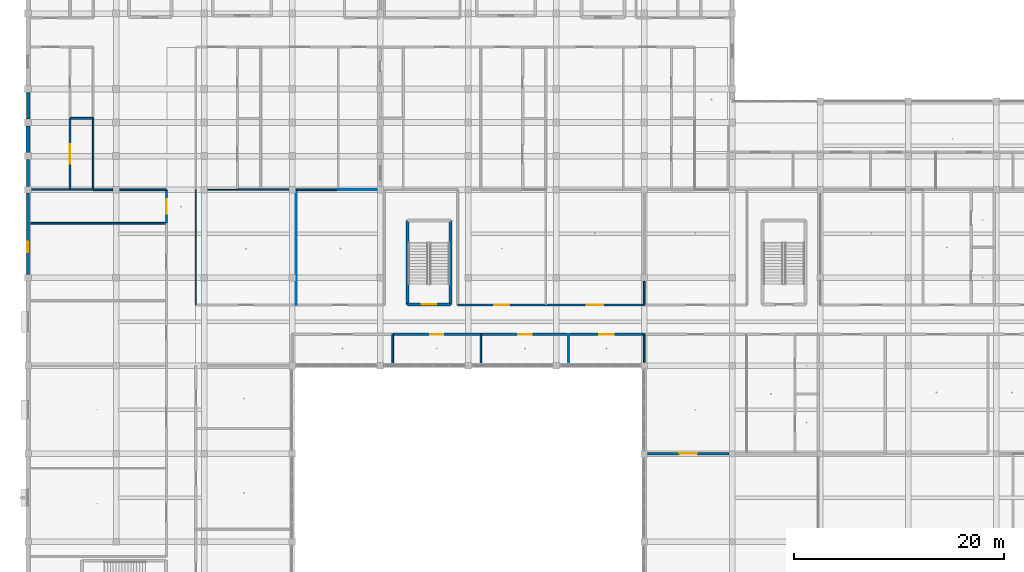
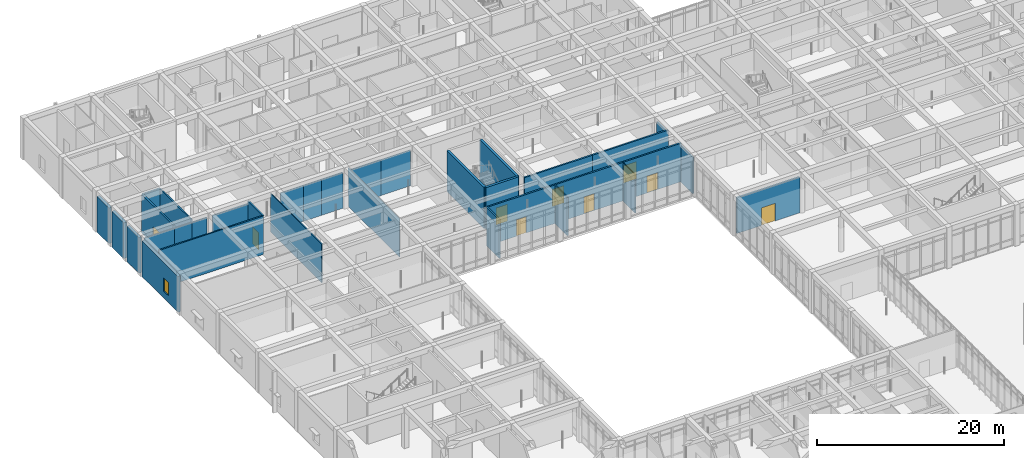
# One storey, part 80 of 157: 34 walls, 9 doors, 1 window, 10 openings.
"""IFC4 building model written with IfcOpenShell, lengths in metres."""

from ifc_helpers import new_model, si_unit, direction, frame, frame_2d, origin, place, context, subcontext, project, spatial, rectangle, extrude, material, layer, layer_set, type_object, element, fill, save


model = new_model("IFC4")

# Units and contexts
model_context = context("Model", 3, precision=1e-05, world=origin(), true_north=direction((0.0, 1.0)))
body_context = subcontext(model_context, "Body", "Model", "MODEL_VIEW")
ifc_project = project(units=[si_unit("LENGTHUNIT", "METRE"), si_unit("AREAUNIT", "SQUARE_METRE"), si_unit("VOLUMEUNIT", "CUBIC_METRE"), si_unit("PLANEANGLEUNIT", "RADIAN"), si_unit("MASSUNIT", "GRAM", prefix="KILO")], contexts=[model_context])

# Site, building, storey
site_placement = place(None, origin())
site = spatial("IfcSite", under=ifc_project, at=site_placement, CompositionType="ELEMENT")
building_placement = place(site_placement, origin())
building = spatial("IfcBuilding", under=site, at=building_placement, Name="Varncliffe General Hospital", CompositionType="ELEMENT")
storey_placement = place(building_placement, frame((0.0, 0.0, 5.39990234375)))
storey = spatial("IfcBuildingStorey", under=building, at=storey_placement, Name="L01", CompositionType="ELEMENT", Elevation=5.39990234375)

# Wall, opening, window
ifc_material_1 = material(Name="Precast concrete C40/50 with insulated cream lime-cement stucco", Category="concrete")
ifc_layer_1 = layer(ifc_material_1, 0.31005859375)
ifc_layer_set_1 = layer_set([ifc_layer_1], Name="Precast concrete C40/50 with insulated cream lime-cement stucco")
wall_type_1 = type_object("IfcWallType", Name="Exterior Insulated Stucco Wall EW20 (310mm)", PredefinedType="SOLIDWALL", material=ifc_layer_set_1)
wall_1_placement = place(storey_placement, frame((0.0, 91.52294921875, 0.0), z_axis=(0.0, 0.0, 1.0), x_axis=(0.0, 1.0, 0.0)))
wall_1 = element("IfcWall", 1, at=wall_1_placement, inside=storey, type_object=wall_type_1, Name="L01 Exterior Stucco Wall EW20-108", PredefinedType="SOLIDWALL", context=body_context, shape_type="SweptSolid", body=[
    extrude(rectangle(XDim=7.754150390625, YDim=0.31005859375, at=frame_2d((3.876953125, 0.0))), origin(), (0.0, 0.0, 1.0), 4.68017578125),
])
opening_1_placement = place(wall_1_placement, frame((2.089111328125, 0.0, 0.89990234375)))
opening_1 = element("IfcOpeningElement", 2, at=opening_1_placement, cuts=wall_1, Name="Opening WN53", PredefinedType="OPENING", context=body_context, shape_type="SweptSolid", body=[
    extrude(rectangle(XDim=1.0, YDim=1.75, at=frame_2d((0.5, 0.875))), frame((0.0, 0.1650390625, 0.0), z_axis=(0.0, -1.0, 0.0), x_axis=(1.0, 0.0, 0.0)), (0.0, 0.0, 1.0), 0.330078125),
])
ifc_material_2 = material(Name="Triple low-E argon insulated vision glazing", Category="glass")
window_type = type_object("IfcWindowType", Name="Triple-Glazed Hospital Window WN53 (1000x1750)", PartitioningType="SINGLE_PANEL", PredefinedType="WINDOW", material=ifc_material_2)
window_placement = place(opening_1_placement, origin())
window = element("IfcWindow", 3, at=window_placement, inside=storey, type_object=window_type, Name="L01 Hospital Window WN53-59", OverallHeight=1.75, OverallWidth=1.0, PartitioningType="SINGLE_PANEL", PredefinedType="WINDOW", context=body_context, shape_type="SweptSolid", body=[
    extrude(rectangle(XDim=1.0, YDim=1.75, at=frame_2d((0.5, 0.875))), frame((0.0, 0.030029296875, 0.0), z_axis=(0.0, -1.0, 0.0), x_axis=(1.0, 0.0, 0.0)), (0.0, 0.0, 1.0), 0.06005859375),
])
fill(opening_1, window)

# Walls
ifc_layer_2 = layer(ifc_material_1, 0.3798828125)
ifc_layer_set_2 = layer_set([ifc_layer_2], Name="Precast concrete C40/50 with insulated cream lime-cement stucco")
wall_type_2 = type_object("IfcWallType", Name="Exterior Insulated Stucco Wall EW26 (380mm)", PredefinedType="SOLIDWALL", material=ifc_layer_set_2)
wall_2_placement = place(storey_placement, frame((0.0, 103.123046875, 0.0), z_axis=(0.0, 0.0, 1.0), x_axis=(0.0, 1.0, 0.0)))
element("IfcWall", 4, at=wall_2_placement, inside=storey, type_object=wall_type_2, Name="L01 Exterior Stucco Wall EW26-110", PredefinedType="SOLIDWALL", context=body_context, shape_type="SweptSolid", body=[
    extrude(rectangle(XDim=2.553955078125, YDim=0.3798828125, at=frame_2d((1.27685546875, 0.0))), origin(), (0.0, 0.0, 1.0), 4.68017578125),
])
ifc_layer_3 = layer(ifc_material_1, 0.2900390625)
ifc_layer_set_3 = layer_set([ifc_layer_3], Name="Precast concrete C40/50 with insulated cream lime-cement stucco")
wall_type_3 = type_object("IfcWallType", Name="Exterior Insulated Stucco Wall EW31 (290mm)", PredefinedType="SOLIDWALL", material=ifc_layer_set_3)
wall_3_placement = place(storey_placement, frame((0.0, 99.923095703125, 0.0), z_axis=(0.0, 0.0, 1.0), x_axis=(0.0, 1.0, 0.0)))
element("IfcWall", 5, at=wall_3_placement, inside=storey, type_object=wall_type_3, Name="L01 Exterior Stucco Wall EW31-109", PredefinedType="SOLIDWALL", context=body_context, shape_type="SweptSolid", body=[
    extrude(rectangle(XDim=2.553955078125, YDim=0.2900390625, at=frame_2d((1.27685546875, 0.0))), origin(), (0.0, 0.0, 1.0), 4.68017578125),
])
ifc_layer_4 = layer(ifc_material_1, 0.35009765625)
ifc_layer_set_4 = layer_set([ifc_layer_4], Name="Precast concrete C40/50 with insulated cream lime-cement stucco")
wall_type_4 = type_object("IfcWallType", Name="Exterior Insulated Stucco Wall EW37 (350mm)", PredefinedType="SOLIDWALL", material=ifc_layer_set_4)
wall_4_placement = place(storey_placement, frame((0.0, 106.322998046875, 0.0), z_axis=(0.0, 0.0, 1.0), x_axis=(0.0, 1.0, 0.0)))
element("IfcWall", 6, at=wall_4_placement, inside=storey, type_object=wall_type_4, Name="L01 Exterior Stucco Wall EW37-111", PredefinedType="SOLIDWALL", context=body_context, shape_type="SweptSolid", body=[
    extrude(rectangle(XDim=2.553955078125, YDim=0.35009765625, at=frame_2d((1.27685546875, 0.0))), origin(), (0.0, 0.0, 1.0), 4.68017578125),
])
ifc_material_3 = material(Name="Acoustic clinical gypsum stud partition assembly", Category="gypsum")
ifc_layer_5 = layer(ifc_material_3, 0.1298828125)
ifc_layer_set_5 = layer_set([ifc_layer_5], Name="Acoustic clinical gypsum stud partition assembly")
wall_type_5 = type_object("IfcWallType", Name="Interior Partitioning IW11 (130mm)", PredefinedType="PARTITIONING", material=ifc_layer_set_5)
wall_5_placement = place(storey_placement, frame((0.340087890625, 99.60009765625, 0.0), z_axis=(0.0, 0.0, 1.0), x_axis=(1.0, 0.0, 0.0)))
element("IfcWall", 7, at=wall_5_placement, inside=storey, type_object=wall_type_5, Name="L01 Interior Partition Wall IW11-548", PredefinedType="PARTITIONING", context=body_context, shape_type="SweptSolid", body=[
    extrude(rectangle(XDim=3.659912109375, YDim=0.1298828125, at=frame_2d((1.830078125, 0.0))), origin(), (0.0, 0.0, 1.0), 4.68505859375),
])
wall_6_placement = place(storey_placement, frame((20.0, 99.60009765625, 0.0), z_axis=(0.0, 0.0, 1.0), x_axis=(1.0, 0.0, 0.0)))
element("IfcWall", 8, at=wall_6_placement, inside=storey, type_object=wall_type_5, Name="L01 Interior Partition Wall IW11-553", PredefinedType="PARTITIONING", context=body_context, shape_type="SweptSolid", body=[
    extrude(rectangle(XDim=2.199951171875, YDim=0.1298828125, at=frame_2d((1.10009765625, 0.0))), origin(), (0.0, 0.0, 1.0), 4.68505859375),
])
ifc_layer_6 = layer(ifc_material_3, 0.169921875)
ifc_layer_set_6 = layer_set([ifc_layer_6], Name="Acoustic clinical gypsum stud partition assembly")
wall_type_6 = type_object("IfcWallType", Name="Interior Partitioning IW20 (170mm)", PredefinedType="PARTITIONING", material=ifc_layer_set_6)
wall_7_placement = place(storey_placement, frame((0.260009765625, 96.39990234375, 0.0), z_axis=(0.0, 0.0, 1.0), x_axis=(1.0, 0.0, 0.0)))
element("IfcWall", 9, at=wall_7_placement, inside=storey, type_object=wall_type_6, Name="L01 Interior Partition Wall IW20-545", PredefinedType="PARTITIONING", context=body_context, shape_type="SweptSolid", body=[
    extrude(rectangle(XDim=12.93994140625, YDim=0.169921875, at=frame_2d((6.469970703125, 0.0))), origin(), (0.0, 0.0, 1.0), 5.050048828125),
])
wall_8_placement = place(storey_placement, frame((8.739990234375, 99.60009765625, 0.0), z_axis=(0.0, 0.0, 1.0), x_axis=(1.0, 0.0, 0.0)))
element("IfcWall", 10, at=wall_8_placement, inside=storey, type_object=wall_type_6, Name="L01 Interior Partition Wall IW20-550", PredefinedType="PARTITIONING", context=body_context, shape_type="SweptSolid", body=[
    extrude(rectangle(XDim=4.4599609375, YDim=0.169921875, at=frame_2d((2.22998046875, 0.0))), origin(), (0.0, 0.0, 1.0), 4.68505859375),
])
wall_9_placement = place(storey_placement, frame((6.199951171875, 99.60009765625, 0.0), z_axis=(0.0, 0.0, 1.0), x_axis=(1.0, 0.0, 0.0)))
element("IfcWall", 11, at=wall_9_placement, inside=storey, type_object=wall_type_6, Name="L01 Interior Partition Wall IW20-551", PredefinedType="PARTITIONING", context=body_context, shape_type="SweptSolid", body=[
    extrude(rectangle(XDim=1.860107421875, YDim=0.169921875, at=frame_2d((0.93017578125, 0.0))), origin(), (0.0, 0.0, 1.0), 4.68505859375),
])
wall_10_placement = place(storey_placement, frame((25.60009765625, 99.60009765625, 0.0), z_axis=(0.0, 0.0, 1.0), x_axis=(1.0, 0.0, 0.0)))
element("IfcWall", 12, at=wall_10_placement, inside=storey, type_object=wall_type_6, Name="L01 Interior Partition Wall IW20-555", PredefinedType="PARTITIONING", context=body_context, shape_type="SweptSolid", body=[
    extrude(rectangle(XDim=4.0, YDim=0.169921875, at=frame_2d((2.0, 0.0))), origin(), (0.0, 0.0, 1.0), 4.68505859375),
])
wall_11_placement = place(storey_placement, frame((34.800048828125, 83.06005859375, 0.0), z_axis=(0.0, 0.0, 1.0), x_axis=(0.0, 1.0, 0.0)))
element("IfcWall", 13, at=wall_11_placement, inside=storey, type_object=wall_type_6, Name="L01 Interior Partition Wall IW20-720", PredefinedType="PARTITIONING", context=body_context, shape_type="SweptSolid", body=[
    extrude(rectangle(XDim=2.739990234375, YDim=0.169921875, at=frame_2d((1.3701171875, 0.0))), origin(), (0.0, 0.0, 1.0), 5.050048828125),
])
wall_12_placement = place(storey_placement, frame((58.800048828125, 88.60009765625, 0.0), z_axis=(0.0, 0.0, 1.0), x_axis=(0.0, 1.0, 0.0)))
element("IfcWall", 14, at=wall_12_placement, inside=storey, type_object=wall_type_6, Name="L01 Interior Partition Wall IW20-751", PredefinedType="PARTITIONING", context=body_context, shape_type="SweptSolid", body=[
    extrude(rectangle(XDim=2.284912109375, YDim=0.169921875, at=frame_2d((1.142578125, 0.0))), origin(), (0.0, 0.0, 1.0), 4.735107421875),
])
ifc_layer_7 = layer(ifc_material_3, 0.14990234375)
ifc_layer_set_7 = layer_set([ifc_layer_7], Name="Acoustic clinical gypsum stud partition assembly")
wall_type_7 = type_object("IfcWallType", Name="Interior Partitioning IW35 (150mm)", PredefinedType="PARTITIONING", material=ifc_layer_set_7)
wall_13_placement = place(storey_placement, frame((4.0, 99.60009765625, 0.0), z_axis=(0.0, 0.0, 1.0), x_axis=(1.0, 0.0, 0.0)))
element("IfcWall", 15, at=wall_13_placement, inside=storey, type_object=wall_type_7, Name="L01 Interior Partition Wall IW35-549", PredefinedType="PARTITIONING", context=body_context, shape_type="SweptSolid", body=[
    extrude(rectangle(XDim=2.199951171875, YDim=0.14990234375, at=frame_2d((1.10009765625, 0.0))), origin(), (0.0, 0.0, 1.0), 4.68505859375),
])
wall_14_placement = place(storey_placement, frame((22.199951171875, 99.60009765625, 0.0), z_axis=(0.0, 0.0, 1.0), x_axis=(1.0, 0.0, 0.0)))
element("IfcWall", 16, at=wall_14_placement, inside=storey, type_object=wall_type_7, Name="L01 Interior Partition Wall IW35-554", PredefinedType="PARTITIONING", context=body_context, shape_type="SweptSolid", body=[
    extrude(rectangle(XDim=2.68505859375, YDim=0.14990234375, at=frame_2d((1.342529296875, 0.0))), origin(), (0.0, 0.0, 1.0), 4.68505859375),
])
wall_15_placement = place(storey_placement, frame((6.199951171875, 99.60009765625, 0.0), z_axis=(0.0, 0.0, 1.0), x_axis=(0.0, 1.0, 0.0)))
element("IfcWall", 17, at=wall_15_placement, inside=storey, type_object=wall_type_7, Name="L01 Interior Partition Wall IW35-674", PredefinedType="PARTITIONING", context=body_context, shape_type="SweptSolid", body=[
    extrude(rectangle(XDim=6.7998046875, YDim=0.14990234375, at=frame_2d((3.39990234375, 0.0))), origin(), (0.0, 0.0, 1.0), 5.050048828125),
])
wall_16_placement = place(storey_placement, frame((43.199951171875, 83.06005859375, 0.0), z_axis=(0.0, 0.0, 1.0), x_axis=(0.0, 1.0, 0.0)))
element("IfcWall", 18, at=wall_16_placement, inside=storey, type_object=wall_type_7, Name="L01 Interior Partition Wall IW35-729", PredefinedType="PARTITIONING", context=body_context, shape_type="SweptSolid", body=[
    extrude(rectangle(XDim=2.739990234375, YDim=0.14990234375, at=frame_2d((1.3701171875, 0.0))), origin(), (0.0, 0.0, 1.0), 5.050048828125),
])
wall_17_placement = place(storey_placement, frame((58.800048828125, 83.114990234375, 0.0), z_axis=(0.0, 0.0, 1.0), x_axis=(0.0, 1.0, 0.0)))
element("IfcWall", 19, at=wall_17_placement, inside=storey, type_object=wall_type_7, Name="L01 Interior Partition Wall IW35-749", PredefinedType="PARTITIONING", context=body_context, shape_type="SweptSolid", body=[
    extrude(rectangle(XDim=2.68505859375, YDim=0.14990234375, at=frame_2d((1.342529296875, 0.0))), origin(), (0.0, 0.0, 1.0), 4.735107421875),
])
ifc_layer_8 = layer(ifc_material_3, 0.090087890625)
ifc_layer_set_8 = layer_set([ifc_layer_8], Name="Acoustic clinical gypsum stud partition assembly")
wall_type_8 = type_object("IfcWallType", Name="Interior Partitioning IW42 (90mm)", PredefinedType="PARTITIONING", material=ifc_layer_set_8)
wall_18_placement = place(storey_placement, frame((29.60009765625, 99.60009765625, 0.0), z_axis=(0.0, 0.0, 1.0), x_axis=(1.0, 0.0, 0.0)))
element("IfcWall", 20, at=wall_18_placement, inside=storey, type_object=wall_type_8, Name="L01 Interior Partition Wall IW42-556", PredefinedType="PARTITIONING", context=body_context, shape_type="SweptSolid", body=[
    extrude(rectangle(XDim=3.684814453125, YDim=0.090087890625, at=frame_2d((1.84228515625, 0.0))), origin(), (0.0, 0.0, 1.0), 4.68505859375),
])
wall_19_placement = place(storey_placement, frame((25.60009765625, 88.60009765625, 0.0), z_axis=(0.0, 0.0, 1.0), x_axis=(0.0, 1.0, 0.0)))
element("IfcWall", 21, at=wall_19_placement, inside=storey, type_object=wall_type_8, Name="L01 Interior Partition Wall IW42-706", PredefinedType="PARTITIONING", context=body_context, shape_type="SweptSolid", body=[
    extrude(rectangle(XDim=11.0, YDim=0.090087890625, at=frame_2d((5.5, 0.0))), origin(), (0.0, 0.0, 1.0), 5.050048828125),
])
wall_20_placement = place(storey_placement, frame((51.60009765625, 83.06005859375, 0.0), z_axis=(0.0, 0.0, 1.0), x_axis=(0.0, 1.0, 0.0)))
element("IfcWall", 22, at=wall_20_placement, inside=storey, type_object=wall_type_8, Name="L01 Interior Partition Wall IW42-741", PredefinedType="PARTITIONING", context=body_context, shape_type="SweptSolid", body=[
    extrude(rectangle(XDim=2.739990234375, YDim=0.090087890625, at=frame_2d((1.3701171875, 0.0))), origin(), (0.0, 0.0, 1.0), 5.050048828125),
])
ifc_layer_9 = layer(ifc_material_3, 0.110107421875)
ifc_layer_set_9 = layer_set([ifc_layer_9], Name="Acoustic clinical gypsum stud partition assembly")
wall_type_9 = type_object("IfcWallType", Name="Interior Partitioning IW65 (110mm)", PredefinedType="PARTITIONING", material=ifc_layer_set_9)
wall_21_placement = place(storey_placement, frame((17.139892578125, 99.60009765625, 0.0), z_axis=(0.0, 0.0, 1.0), x_axis=(1.0, 0.0, 0.0)))
element("IfcWall", 23, at=wall_21_placement, inside=storey, type_object=wall_type_9, Name="L01 Interior Partition Wall IW65-552", PredefinedType="PARTITIONING", context=body_context, shape_type="SweptSolid", body=[
    extrude(rectangle(XDim=2.860107421875, YDim=0.110107421875, at=frame_2d((1.43017578125, 0.0))), origin(), (0.0, 0.0, 1.0), 4.68505859375),
])
wall_22_placement = place(storey_placement, frame((16.0, 88.60009765625, 0.0), z_axis=(0.0, 0.0, 1.0), x_axis=(0.0, 1.0, 0.0)))
element("IfcWall", 24, at=wall_22_placement, inside=storey, type_object=wall_type_9, Name="L01 Interior Partition Wall IW65-692", PredefinedType="PARTITIONING", context=body_context, shape_type="SweptSolid", body=[
    extrude(rectangle(XDim=11.0, YDim=0.110107421875, at=frame_2d((5.5, 0.0))), origin(), (0.0, 0.0, 1.0), 5.050048828125),
])

# Wall, opening, door
ifc_material_4 = material(Name="Fire-rated gypsum and mineral-wool partition assembly", Category="gypsum")
ifc_layer_10 = layer(ifc_material_4, 0.199951171875)
ifc_layer_set_10 = layer_set([ifc_layer_10], Name="Fire-rated gypsum and mineral-wool partition assembly")
wall_type_10 = type_object("IfcWallType", Name="Interior Partitioning PW63 (200mm)", PredefinedType="PARTITIONING", material=ifc_layer_set_10)
wall_23_placement = place(storey_placement, frame((59.114990234375, 74.39990234375, 0.0), z_axis=(0.0, 0.0, 1.0), x_axis=(1.0, 0.0, 0.0)))
wall_23 = element("IfcWall", 25, at=wall_23_placement, inside=storey, type_object=wall_type_10, Name="L01 Interior Partition Wall PW63-483", PredefinedType="PARTITIONING", context=body_context, shape_type="SweptSolid", body=[
    extrude(rectangle(XDim=7.77001953125, YDim=0.199951171875, at=frame_2d((3.885009765625, 0.0))), origin(), (0.0, 0.0, 1.0), 4.68505859375),
])
opening_2_placement = place(wall_23_placement, frame((3.034912109375, 0.0, 0.0)))
opening_2 = element("IfcOpeningElement", 26, at=opening_2_placement, cuts=wall_23, Name="Opening DC50", PredefinedType="OPENING", context=body_context, shape_type="SweptSolid", body=[
    extrude(rectangle(XDim=1.699951171875, YDim=2.300048828125, at=frame_2d((0.85009765625, 1.14990234375))), frame((0.0, 0.10986328125, 0.0), z_axis=(0.0, -1.0, 0.0), x_axis=(1.0, 0.0, 0.0)), (0.0, 0.0, 1.0), 0.219970703125),
])
ifc_material_5 = material(Name="Fire-rated hospital steel-frame vision-panel door", Category="steel")
door_type_1 = type_object("IfcDoorType", Name="Interior Hospital Door DC50 (1700x2300)", OperationType="NOTDEFINED", PredefinedType="DOOR", material=ifc_material_5)
door_1_placement = place(opening_2_placement, frame((1.699951171875, 0.0, 0.0), z_axis=(0.0, 0.0, 1.0), x_axis=(-1.0, 0.0, 0.0)))
door_1 = element("IfcDoor", 27, at=door_1_placement, inside=storey, type_object=door_type_1, Name="L01 Winter-Garden Upper Family Lounge Door", OperationType="SINGLE_SWING_RIGHT", OverallHeight=2.300048828125, OverallWidth=1.699951171875, PredefinedType="DOOR", context=body_context, shape_type="SweptSolid", body=[
    extrude(rectangle(XDim=1.699951171875, YDim=2.300048828125, at=frame_2d((0.85009765625, 1.14990234375))), frame((0.0, 0.02490234375, 0.0), z_axis=(0.0, -1.0, 0.0), x_axis=(1.0, 0.0, 0.0)), (0.0, 0.0, 1.0), 0.050048828125),
])
fill(opening_2, door_1)

wall_24_placement = place(storey_placement, frame((34.800048828125, 85.800048828125, 0.0), z_axis=(0.0, 0.0, 1.0), x_axis=(1.0, 0.0, 0.0)))
wall_24 = element("IfcWall", 28, at=wall_24_placement, inside=storey, type_object=wall_type_10, Name="L01 Interior Partition Wall PW63-510", PredefinedType="PARTITIONING", context=body_context, shape_type="SweptSolid", body=[
    extrude(rectangle(XDim=8.39990234375, YDim=0.199951171875, at=frame_2d((4.199951171875, 0.0))), origin(), (0.0, 0.0, 1.0), 5.050048828125),
])
opening_3_placement = place(wall_24_placement, frame((3.574951171875, 0.0, 0.0)))
opening_3 = element("IfcOpeningElement", 29, at=opening_3_placement, cuts=wall_24, Name="Opening DC44", PredefinedType="OPENING", context=body_context, shape_type="SweptSolid", body=[
    extrude(rectangle(XDim=1.25, YDim=2.14990234375, at=frame_2d((0.625, 1.074951171875))), frame((0.0, 0.10986328125, 0.0), z_axis=(0.0, -1.0, 0.0), x_axis=(1.0, 0.0, 0.0)), (0.0, 0.0, 1.0), 0.219970703125),
])
door_type_2 = type_object("IfcDoorType", Name="Interior Hospital Door DC44 (1250x2150)", OperationType="NOTDEFINED", PredefinedType="DOOR", material=ifc_material_5)
door_2_placement = place(opening_3_placement, frame((1.25, 0.0, 0.0), z_axis=(0.0, 0.0, 1.0), x_axis=(-1.0, 0.0, 0.0)))
door_2 = element("IfcDoor", 30, at=door_2_placement, inside=storey, type_object=door_type_2, Name="L01 Transfusion Blood Bank Laboratory 70 Door", OperationType="SINGLE_SWING_RIGHT", OverallHeight=2.14990234375, OverallWidth=1.25, PredefinedType="DOOR", context=body_context, shape_type="SweptSolid", body=[
    extrude(rectangle(XDim=1.25, YDim=2.14990234375, at=frame_2d((0.625, 1.074951171875))), frame((0.0, 0.02490234375, 0.0), z_axis=(0.0, -1.0, 0.0), x_axis=(1.0, 0.0, 0.0)), (0.0, 0.0, 1.0), 0.050048828125),
])
fill(opening_3, door_2)

wall_25_placement = place(storey_placement, frame((43.199951171875, 85.800048828125, 0.0), z_axis=(0.0, 0.0, 1.0), x_axis=(1.0, 0.0, 0.0)))
wall_25 = element("IfcWall", 31, at=wall_25_placement, inside=storey, type_object=wall_type_10, Name="L01 Interior Partition Wall PW63-511", PredefinedType="PARTITIONING", context=body_context, shape_type="SweptSolid", body=[
    extrude(rectangle(XDim=8.400146484375, YDim=0.199951171875, at=frame_2d((4.2001953125, 0.0))), origin(), (0.0, 0.0, 1.0), 5.050048828125),
])
opening_4_placement = place(wall_25_placement, frame((3.550048828125, 0.0, 0.0)))
opening_4 = element("IfcOpeningElement", 32, at=opening_4_placement, cuts=wall_25, Name="Opening DC88", PredefinedType="OPENING", context=body_context, shape_type="SweptSolid", body=[
    extrude(rectangle(XDim=1.300048828125, YDim=2.199951171875, at=frame_2d((0.64990234375, 1.10009765625))), frame((0.0, 0.10986328125, 0.0), z_axis=(0.0, -1.0, 0.0), x_axis=(1.0, 0.0, 0.0)), (0.0, 0.0, 1.0), 0.219970703125),
])
door_type_3 = type_object("IfcDoorType", Name="Interior Hospital Door DC88 (1300x2200)", OperationType="NOTDEFINED", PredefinedType="DOOR", material=ifc_material_5)
door_3_placement = place(opening_4_placement, frame((1.300048828125, 0.0, 0.0), z_axis=(0.0, 0.0, 1.0), x_axis=(-1.0, 0.0, 0.0)))
door_3 = element("IfcDoor", 33, at=door_3_placement, inside=storey, type_object=door_type_3, Name="L01 Clinical Microbiology Laboratory 71 Door", OperationType="SINGLE_SWING_LEFT", OverallHeight=2.199951171875, OverallWidth=1.300048828125, PredefinedType="DOOR", context=body_context, shape_type="SweptSolid", body=[
    extrude(rectangle(XDim=1.300048828125, YDim=2.199951171875, at=frame_2d((0.64990234375, 1.10009765625))), frame((0.0, 0.02490234375, 0.0), z_axis=(0.0, -1.0, 0.0), x_axis=(1.0, 0.0, 0.0)), (0.0, 0.0, 1.0), 0.050048828125),
])
fill(opening_4, door_3)

wall_26_placement = place(storey_placement, frame((51.60009765625, 85.800048828125, 0.0), z_axis=(0.0, 0.0, 1.0), x_axis=(1.0, 0.0, 0.0)))
wall_26 = element("IfcWall", 34, at=wall_26_placement, inside=storey, type_object=wall_type_10, Name="L01 Interior Partition Wall PW63-512", PredefinedType="PARTITIONING", context=body_context, shape_type="SweptSolid", body=[
    extrude(rectangle(XDim=7.199951171875, YDim=0.199951171875, at=frame_2d((3.60009765625, 0.0))), origin(), (0.0, 0.0, 1.0), 5.050048828125),
])
opening_5_placement = place(wall_26_placement, frame((2.925048828125, 0.0, 0.0)))
opening_5 = element("IfcOpeningElement", 35, at=opening_5_placement, cuts=wall_26, Name="Opening DC85", PredefinedType="OPENING", context=body_context, shape_type="SweptSolid", body=[
    extrude(rectangle(XDim=1.35009765625, YDim=2.199951171875, at=frame_2d((0.675048828125, 1.10009765625))), frame((0.0, 0.10986328125, 0.0), z_axis=(0.0, -1.0, 0.0), x_axis=(1.0, 0.0, 0.0)), (0.0, 0.0, 1.0), 0.219970703125),
])
door_type_4 = type_object("IfcDoorType", Name="Interior Hospital Door DC85 (1350x2200)", OperationType="NOTDEFINED", PredefinedType="DOOR", material=ifc_material_5)
door_4_placement = place(opening_5_placement, frame((1.35009765625, 0.0, 0.0), z_axis=(0.0, 0.0, 1.0), x_axis=(-1.0, 0.0, 0.0)))
door_4 = element("IfcDoor", 36, at=door_4_placement, inside=storey, type_object=door_type_4, Name="L01 Clinical Pathology Laboratory 72 Door", OperationType="SINGLE_SWING_RIGHT", OverallHeight=2.199951171875, OverallWidth=1.35009765625, PredefinedType="DOOR", context=body_context, shape_type="SweptSolid", body=[
    extrude(rectangle(XDim=1.35009765625, YDim=2.199951171875, at=frame_2d((0.675048828125, 1.10009765625))), frame((0.0, 0.02490234375, 0.0), z_axis=(0.0, -1.0, 0.0), x_axis=(1.0, 0.0, 0.0)), (0.0, 0.0, 1.0), 0.050048828125),
])
fill(opening_5, door_4)

wall_27_placement = place(storey_placement, frame((41.0, 88.60009765625, 0.0), z_axis=(0.0, 0.0, 1.0), x_axis=(1.0, 0.0, 0.0)))
wall_27 = element("IfcWall", 37, at=wall_27_placement, inside=storey, type_object=wall_type_10, Name="L01 Interior Partition Wall PW63-529", PredefinedType="PARTITIONING", context=body_context, shape_type="SweptSolid", body=[
    extrude(rectangle(XDim=8.39990234375, YDim=0.199951171875, at=frame_2d((4.199951171875, 0.0))), origin(), (0.0, 0.0, 1.0), 5.050048828125),
])
opening_6_placement = place(wall_27_placement, frame((3.47509765625, 0.0, 0.0)))
opening_6 = element("IfcOpeningElement", 38, at=opening_6_placement, cuts=wall_27, Name="Opening DC66", PredefinedType="OPENING", context=body_context, shape_type="SweptSolid", body=[
    extrude(rectangle(XDim=1.449951171875, YDim=2.25, at=frame_2d((0.72509765625, 1.125))), frame((0.0, 0.10986328125, 0.0), z_axis=(0.0, -1.0, 0.0), x_axis=(1.0, 0.0, 0.0)), (0.0, 0.0, 1.0), 0.219970703125),
])
door_type_5 = type_object("IfcDoorType", Name="Interior Hospital Door DC66 (1450x2250)", OperationType="NOTDEFINED", PredefinedType="DOOR", material=ifc_material_5)
door_5_placement = place(opening_6_placement, origin())
door_5 = element("IfcDoor", 39, at=door_5_placement, inside=storey, type_object=door_type_5, Name="L01 Transfusion Blood Bank Laboratory 75 Door", OperationType="SINGLE_SWING_LEFT", OverallHeight=2.25, OverallWidth=1.449951171875, PredefinedType="DOOR", context=body_context, shape_type="SweptSolid", body=[
    extrude(rectangle(XDim=1.449951171875, YDim=2.25, at=frame_2d((0.72509765625, 1.125))), frame((0.0, 0.02490234375, 0.0), z_axis=(0.0, -1.0, 0.0), x_axis=(1.0, 0.0, 0.0)), (0.0, 0.0, 1.0), 0.050048828125),
])
fill(opening_6, door_5)

wall_28_placement = place(storey_placement, frame((49.39990234375, 88.60009765625, 0.0), z_axis=(0.0, 0.0, 1.0), x_axis=(1.0, 0.0, 0.0)))
wall_28 = element("IfcWall", 40, at=wall_28_placement, inside=storey, type_object=wall_type_10, Name="L01 Interior Partition Wall PW63-530", PredefinedType="PARTITIONING", context=body_context, shape_type="SweptSolid", body=[
    extrude(rectangle(XDim=9.400146484375, YDim=0.199951171875, at=frame_2d((4.7001953125, 0.0))), origin(), (0.0, 0.0, 1.0), 5.050048828125),
])
opening_7_placement = place(wall_28_placement, frame((3.925048828125, 0.0, 0.0)))
opening_7 = element("IfcOpeningElement", 41, at=opening_7_placement, cuts=wall_28, Name="Opening DC67", PredefinedType="OPENING", context=body_context, shape_type="SweptSolid", body=[
    extrude(rectangle(XDim=1.550048828125, YDim=2.25, at=frame_2d((0.77490234375, 1.125))), frame((0.0, 0.10986328125, 0.0), z_axis=(0.0, -1.0, 0.0), x_axis=(1.0, 0.0, 0.0)), (0.0, 0.0, 1.0), 0.219970703125),
])
door_type_6 = type_object("IfcDoorType", Name="Interior Hospital Door DC67 (1550x2250)", OperationType="NOTDEFINED", PredefinedType="DOOR", material=ifc_material_5)
door_6_placement = place(opening_7_placement, origin())
door_6 = element("IfcDoor", 42, at=door_6_placement, inside=storey, type_object=door_type_6, Name="L01 Clinical Microbiology Laboratory 76 Door", OperationType="SINGLE_SWING_RIGHT", OverallHeight=2.25, OverallWidth=1.550048828125, PredefinedType="DOOR", context=body_context, shape_type="SweptSolid", body=[
    extrude(rectangle(XDim=1.550048828125, YDim=2.25, at=frame_2d((0.77490234375, 1.125))), frame((0.0, 0.02490234375, 0.0), z_axis=(0.0, -1.0, 0.0), x_axis=(1.0, 0.0, 0.0)), (0.0, 0.0, 1.0), 0.050048828125),
])
fill(opening_7, door_6)

wall_29_placement = place(storey_placement, frame((4.0, 99.60009765625, 0.0), z_axis=(0.0, 0.0, 1.0), x_axis=(0.0, 1.0, 0.0)))
wall_29 = element("IfcWall", 43, at=wall_29_placement, inside=storey, type_object=wall_type_10, Name="L01 Interior Partition Wall PW63-670", PredefinedType="PARTITIONING", context=body_context, shape_type="SweptSolid", body=[
    extrude(rectangle(XDim=6.7998046875, YDim=0.199951171875, at=frame_2d((3.39990234375, 0.0))), origin(), (0.0, 0.0, 1.0), 5.050048828125),
])
opening_8_placement = place(wall_29_placement, frame((2.47509765625, 0.0, 0.0)))
opening_8 = element("IfcOpeningElement", 44, at=opening_8_placement, cuts=wall_29, Name="Opening DC38", PredefinedType="OPENING", context=body_context, shape_type="SweptSolid", body=[
    extrude(rectangle(XDim=1.85009765625, YDim=2.300048828125, at=frame_2d((0.925048828125, 1.14990234375))), frame((0.0, 0.10986328125, 0.0), z_axis=(0.0, -1.0, 0.0), x_axis=(1.0, 0.0, 0.0)), (0.0, 0.0, 1.0), 0.219970703125),
])
door_type_7 = type_object("IfcDoorType", Name="Interior Hospital Door DC38 (1850x2300)", OperationType="NOTDEFINED", PredefinedType="DOOR", material=ifc_material_5)
door_7_placement = place(opening_8_placement, frame((1.85009765625, 0.0, 0.0), z_axis=(0.0, 0.0, 1.0), x_axis=(-1.0, 0.0, 0.0)))
door_7 = element("IfcDoor", 45, at=door_7_placement, inside=storey, type_object=door_type_7, Name="L01 Patient Medication and Hygiene Bay 133 Door", OperationType="SINGLE_SWING_RIGHT", OverallHeight=2.300048828125, OverallWidth=1.85009765625, PredefinedType="DOOR", context=body_context, shape_type="SweptSolid", body=[
    extrude(rectangle(XDim=1.85009765625, YDim=2.300048828125, at=frame_2d((0.925048828125, 1.14990234375))), frame((0.0, 0.02490234375, 0.0), z_axis=(0.0, -1.0, 0.0), x_axis=(1.0, 0.0, 0.0)), (0.0, 0.0, 1.0), 0.050048828125),
])
fill(opening_8, door_7)

wall_30_placement = place(storey_placement, frame((13.199951171875, 96.39990234375, 0.0), z_axis=(0.0, 0.0, 1.0), x_axis=(0.0, 1.0, 0.0)))
wall_30 = element("IfcWall", 46, at=wall_30_placement, inside=storey, type_object=wall_type_10, Name="L01 Interior Partition Wall PW63-684", PredefinedType="PARTITIONING", context=body_context, shape_type="SweptSolid", body=[
    extrude(rectangle(XDim=3.2001953125, YDim=0.199951171875, at=frame_2d((1.60009765625, 0.0))), origin(), (0.0, 0.0, 1.0), 5.050048828125),
])
opening_9_placement = place(wall_30_placement, frame((0.925048828125, 0.0, 0.0)))
opening_9 = element("IfcOpeningElement", 47, at=opening_9_placement, cuts=wall_30, Name="Opening DC85", PredefinedType="OPENING", context=body_context, shape_type="SweptSolid", body=[
    extrude(rectangle(XDim=1.35009765625, YDim=2.199951171875, at=frame_2d((0.675048828125, 1.10009765625))), frame((0.0, 0.10986328125, 0.0), z_axis=(0.0, -1.0, 0.0), x_axis=(1.0, 0.0, 0.0)), (0.0, 0.0, 1.0), 0.219970703125),
])
door_8_placement = place(opening_9_placement, origin())
door_8 = element("IfcDoor", 48, at=door_8_placement, inside=storey, type_object=door_type_4, Name="L01 General Medical Inpatient Room 182 Door", OperationType="SINGLE_SWING_RIGHT", OverallHeight=2.199951171875, OverallWidth=1.35009765625, PredefinedType="DOOR", context=body_context, shape_type="SweptSolid", body=[
    extrude(rectangle(XDim=1.35009765625, YDim=2.199951171875, at=frame_2d((0.675048828125, 1.10009765625))), frame((0.0, 0.02490234375, 0.0), z_axis=(0.0, -1.0, 0.0), x_axis=(1.0, 0.0, 0.0)), (0.0, 0.0, 1.0), 0.050048828125),
])
fill(opening_9, door_8)

# Walls
ifc_material_6 = material(Name="Moisture-resistant plumbing chase wall assembly", Category="gypsum")
ifc_layer_11 = layer(ifc_material_6, 0.18994140625)
ifc_layer_set_11 = layer_set([ifc_layer_11], Name="Moisture-resistant plumbing chase wall assembly")
wall_type_11 = type_object("IfcWallType", Name="Interior Plumbingwall MW17 (190mm)", PredefinedType="PLUMBINGWALL", material=ifc_layer_set_11)
wall_31_placement = place(storey_placement, frame((4.0, 106.39990234375, 0.0), z_axis=(0.0, 0.0, 1.0), x_axis=(1.0, 0.0, 0.0)))
element("IfcWall", 49, at=wall_31_placement, inside=storey, type_object=wall_type_11, Name="L01 Interior Plumbing Wall MW17-604", PredefinedType="PLUMBINGWALL", context=body_context, shape_type="SweptSolid", body=[
    extrude(rectangle(XDim=2.199951171875, YDim=0.18994140625, at=frame_2d((1.10009765625, 0.0))), origin(), (0.0, 0.0, 1.0), 5.050048828125),
])
ifc_material_7 = material(Name="Concrete C40/50 (CSA A23.1 40 MPa)", Category="concrete")
ifc_layer_12 = layer(ifc_material_7, 0.280029296875)
ifc_layer_set_12 = layer_set([ifc_layer_12], Name="Concrete C40/50 (CSA A23.1 40 MPa)")
wall_type_12 = type_object("IfcWallType", Name="Reinforced Concrete Core Shear Wall CW13 (280mm)", PredefinedType="SHEAR", material=ifc_layer_set_12)
for number, where, z_axis, x_axis, name in (
    (50, (40.2900390625, 88.659912109375, 0.0), (0.0, 0.0, 1.0), (0.0, 1.0, 0.0), "L01 ST13 Core Shear Wall L"),
    (51, (36.2099609375, 96.639892578125, 0.0), (0.0, 0.0, 1.0), (0.0, -1.0, 0.0), "L01 ST13 Core Shear Wall R"),
):
    element("IfcWall", number, at=place(storey_placement, frame(where, z_axis=z_axis, x_axis=x_axis)), inside=storey, type_object=wall_type_12, Name=name, PredefinedType="SHEAR", context=body_context, shape_type="SweptSolid", body=[
        extrude(rectangle(XDim=7.97998046875, YDim=0.280029296875, at=frame_2d((3.989990234375, 0.0))), origin(), (0.0, 0.0, 1.0), 5.400146484375),
    ])

# Wall, opening, door
wall_32_placement = place(storey_placement, frame((36.2099609375, 88.659912109375, 0.0), z_axis=(0.0, 0.0, 1.0), x_axis=(1.0, 0.0, 0.0)))
wall_32 = element("IfcWall", 52, at=wall_32_placement, inside=storey, type_object=wall_type_12, Name="L01 ST13 Core Shear Wall N", PredefinedType="SHEAR", context=body_context, shape_type="SweptSolid", body=[
    extrude(rectangle(XDim=4.080078125, YDim=0.280029296875, at=frame_2d((2.0400390625, 0.0))), origin(), (0.0, 0.0, 1.0), 5.400146484375),
])
opening_10_placement = place(wall_32_placement, frame((1.340087890625, 0.0, 0.0)))
opening_10 = element("IfcOpeningElement", 53, at=opening_10_placement, cuts=wall_32, Name="Opening DF81", PredefinedType="OPENING", context=body_context, shape_type="SweptSolid", body=[
    extrude(rectangle(XDim=1.39990234375, YDim=2.199951171875, at=frame_2d((0.699951171875, 1.10009765625))), frame((0.0, 0.14990234375, 0.0), z_axis=(0.0, -1.0, 0.0), x_axis=(1.0, 0.0, 0.0)), (0.0, 0.0, 1.0), 0.300048828125),
])
door_type_8 = type_object("IfcDoorType", Name="Interior Hospital Door DF81 (1400x2200)", OperationType="NOTDEFINED", PredefinedType="DOOR", material=ifc_material_5)
door_9_placement = place(opening_10_placement, frame((1.39990234375, 0.0, 0.0), z_axis=(0.0, 0.0, 1.0), x_axis=(-1.0, 0.0, 0.0)))
door_9 = element("IfcDoor", 54, at=door_9_placement, inside=storey, type_object=door_type_8, Name="L01 ST13 Protected Exit Stair Door", OperationType="SINGLE_SWING_LEFT", OverallHeight=2.199951171875, OverallWidth=1.39990234375, PredefinedType="DOOR", context=body_context, shape_type="SweptSolid", body=[
    extrude(rectangle(XDim=1.39990234375, YDim=2.199951171875, at=frame_2d((0.699951171875, 1.10009765625))), frame((0.0, 0.02490234375, 0.0), z_axis=(0.0, -1.0, 0.0), x_axis=(1.0, 0.0, 0.0)), (0.0, 0.0, 1.0), 0.050048828125),
])
fill(opening_10, door_9)

save(model, "model.ifc")
